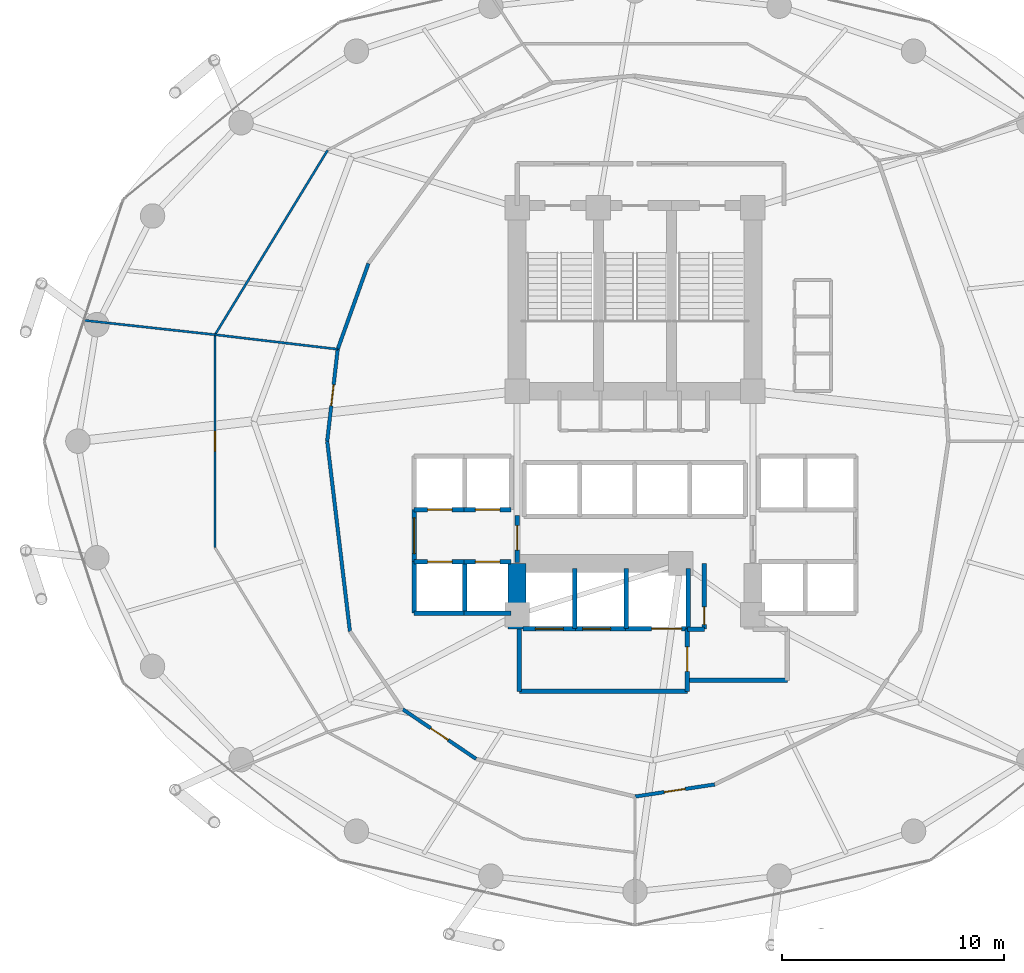
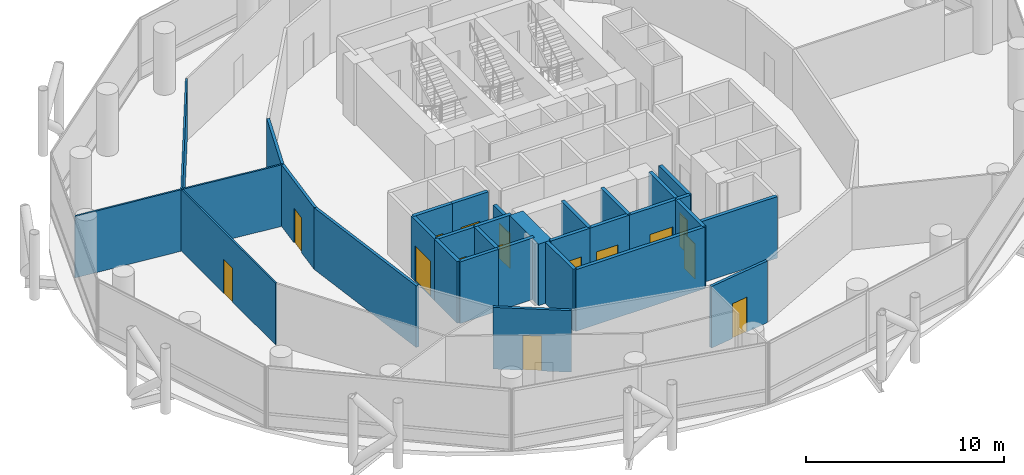
# One storey, part 21 of 25: 32 walls, 15 doors, 15 openings.
"""IFC4 building model written with IfcOpenShell, lengths in metres."""

from ifc_helpers import new_model, si_unit, direction, frame, frame_2d, origin, place, context, subcontext, project, spatial, rectangle, extrude, material, layer, layer_set, type_object, element, fill, save


model = new_model("IFC4")

# Units and contexts
model_context = context("Model", 3, precision=1e-05, world=origin(), true_north=direction((0.0, 1.0)))
body_context = subcontext(model_context, "Body", "Model", "MODEL_VIEW")
ifc_project = project(units=[si_unit("LENGTHUNIT", "METRE"), si_unit("AREAUNIT", "SQUARE_METRE"), si_unit("VOLUMEUNIT", "CUBIC_METRE"), si_unit("PLANEANGLEUNIT", "RADIAN"), si_unit("MASSUNIT", "GRAM", prefix="KILO")], contexts=[model_context])

# Site, building, storey
site_placement = place(None, origin())
site = spatial("IfcSite", under=ifc_project, at=site_placement, CompositionType="ELEMENT")
building_placement = place(site_placement, origin())
building = spatial("IfcBuilding", under=site, at=building_placement, Name="Nuhasar Tower", CompositionType="ELEMENT")
storey_placement = place(building_placement, frame((0.0, 0.0, 61.5)))
storey = spatial("IfcBuildingStorey", under=building, at=storey_placement, Name="L14", CompositionType="ELEMENT", Elevation=61.5)

# Walls
ifc_material_1 = material(Name="Concrete C80/95", Category="concrete")
ifc_layer_1 = layer(ifc_material_1, 0.800048828125)
ifc_layer_set_1 = layer_set([ifc_layer_1], Name="Concrete C80/95")
wall_type_1 = type_object("IfcWallType", Name="WL-CORE-800", PredefinedType="SHEAR", material=ifc_layer_set_1)
wall_1_placement = place(storey_placement, frame((33.699951171875, 18.35009765625, 0.0), z_axis=(0.0, 0.0, 1.0), x_axis=(0.0, 1.0, 0.0)))
element("IfcWall", 1, at=wall_1_placement, inside=storey, type_object=wall_type_1, Name="L14 Core Shear Wall CW-SW CW-800", PredefinedType="SHEAR", context=body_context, shape_type="SweptSolid", body=[
    extrude(rectangle(XDim=2.949951171875, YDim=0.800048828125, at=frame_2d((1.47509765625, 0.0))), origin(), (0.0, 0.0, 1.0), 3.800048828125),
])
ifc_material_2 = material(Name="Gypsum Board", Category="gypsum")
ifc_layer_2 = layer(ifc_material_2, 0.159912109375)
ifc_layer_set_2 = layer_set([ifc_layer_2], Name="Gypsum Board")
wall_type_2 = type_object("IfcWallType", Name="WL-CORR-160", PredefinedType="PARTITIONING", material=ifc_layer_set_2)
wall_2_placement = place(storey_placement, frame((27.013916015625, 34.7900390625, 0.0), z_axis=(0.0, 0.0, 1.0), x_axis=(-0.337507156162, -0.941322962399, 0.0)))
element("IfcWall", 2, at=wall_2_placement, inside=storey, type_object=wall_type_2, Name="L14 Interior Partition CORR-20", PredefinedType="PARTITIONING", context=body_context, shape_type="SweptSolid", body=[
    extrude(rectangle(XDim=4.09423828125, YDim=0.159912109375, at=frame_2d((2.047119140625, 0.0))), origin(), (0.0, 0.0, 1.0), 3.800048828125),
])

# Wall, opening, door
wall_3_placement = place(storey_placement, frame((25.159912109375, 26.800048828125, 0.0), z_axis=(0.0, 0.0, 1.0), x_axis=(0.113424191486, 0.993546653553, 0.0)))
wall_3 = element("IfcWall", 3, at=wall_3_placement, inside=storey, type_object=wall_type_2, Name="L14 Interior Partition CORR-22", PredefinedType="PARTITIONING", context=body_context, shape_type="SweptSolid", body=[
    extrude(rectangle(XDim=4.162841796875, YDim=0.159912109375, at=frame_2d((2.08154296875, 0.0))), origin(), (0.0, 0.0, 1.0), 3.800048828125),
])
opening_1_placement = place(wall_3_placement, frame((1.60595703125, 0.0, 0.0)))
opening_1 = element("IfcOpeningElement", 4, at=opening_1_placement, cuts=wall_3, Name="Opening DO-01", PredefinedType="OPENING", context=body_context, shape_type="SweptSolid", body=[
    extrude(rectangle(XDim=0.949951171875, YDim=2.14990234375, at=frame_2d((0.47509765625, 1.074951171875))), frame((0.0, 0.08984375, 0.0), z_axis=(0.0, -1.0, 0.0), x_axis=(1.0, 0.0, 0.0)), (0.0, 0.0, 1.0), 0.179931640625),
])
ifc_material_3 = material(Name="Timber Oak", Category="wood")
door_type_1 = type_object("IfcDoorType", Name="DR-OFFICE-FD30-950", OperationType="NOTDEFINED", PredefinedType="DOOR", material=ifc_material_3)
door_1_placement = place(opening_1_placement, origin())
door_1 = element("IfcDoor", 5, at=door_1_placement, inside=storey, type_object=door_type_1, Name="L14 Risk Committee Meeting Room Entry Door", OperationType="SINGLE_SWING_LEFT", OverallHeight=2.14990234375, OverallWidth=0.949951171875, PredefinedType="DOOR", context=body_context, shape_type="SweptSolid", body=[
    extrude(rectangle(XDim=0.949951171875, YDim=2.14990234375, at=frame_2d((0.47509765625, 1.074951171875))), frame((0.0, 0.02490234375, 0.0), z_axis=(0.0, -1.0, 0.0), x_axis=(1.0, 0.0, 0.0)), (0.0, 0.0, 1.0), 0.050048828125),
])
fill(opening_1, door_1)

# Wall
wall_4_placement = place(storey_placement, frame((25.159912109375, 26.800048828125, 0.0), z_axis=(0.0, 0.0, 1.0), x_axis=(0.11875033489, -0.992924145121, 0.0)))
element("IfcWall", 6, at=wall_4_placement, inside=storey, type_object=wall_type_2, Name="L14 Interior Partition CORR-24", PredefinedType="PARTITIONING", context=body_context, shape_type="SweptSolid", body=[
    extrude(rectangle(XDim=8.60595703125, YDim=0.159912109375, at=frame_2d((4.302978515625, 0.0))), origin(), (0.0, 0.0, 1.0), 3.800048828125),
])

# Wall, opening, door
wall_5_placement = place(storey_placement, frame((31.85595703125, 12.513916015625, 0.0), z_axis=(0.0, 0.0, 1.0), x_axis=(-0.828313553284, 0.560264810108, 0.0)))
wall_5 = element("IfcWall", 7, at=wall_5_placement, inside=storey, type_object=wall_type_2, Name="L14 Interior Partition CORR-30", PredefinedType="PARTITIONING", context=body_context, shape_type="SweptSolid", body=[
    extrude(rectangle(XDim=3.980224609375, YDim=0.159912109375, at=frame_2d((1.990234375, 0.0))), origin(), (0.0, 0.0, 1.0), 3.800048828125),
])
opening_2_placement = place(wall_5_placement, frame((1.514892578125, 0.0, 0.0)))
opening_2 = element("IfcOpeningElement", 8, at=opening_2_placement, cuts=wall_5, Name="Opening DO-01", PredefinedType="OPENING", context=body_context, shape_type="SweptSolid", body=[
    extrude(rectangle(XDim=0.949951171875, YDim=2.14990234375, at=frame_2d((0.47509765625, 1.074951171875))), frame((0.0, 0.08984375, 0.0), z_axis=(0.0, -1.0, 0.0), x_axis=(1.0, 0.0, 0.0)), (0.0, 0.0, 1.0), 0.179931640625),
])
door_2_placement = place(opening_2_placement, origin())
door_2 = element("IfcDoor", 9, at=door_2_placement, inside=storey, type_object=door_type_1, Name="L14 Econometrics Research Office Entry Door", OperationType="SINGLE_SWING_RIGHT", OverallHeight=2.14990234375, OverallWidth=0.949951171875, PredefinedType="DOOR", context=body_context, shape_type="SweptSolid", body=[
    extrude(rectangle(XDim=0.949951171875, YDim=2.14990234375, at=frame_2d((0.47509765625, 1.074951171875))), frame((0.0, 0.02490234375, 0.0), z_axis=(0.0, -1.0, 0.0), x_axis=(1.0, 0.0, 0.0)), (0.0, 0.0, 1.0), 0.050048828125),
])
fill(opening_2, door_2)

wall_6_placement = place(storey_placement, frame((42.58203125, 11.364990234375, 0.0), z_axis=(0.0, 0.0, 1.0), x_axis=(-0.988625807883, -0.150396183424, 0.0)))
wall_6 = element("IfcWall", 10, at=wall_6_placement, inside=storey, type_object=wall_type_2, Name="L14 Interior Partition CORR-36", PredefinedType="PARTITIONING", context=body_context, shape_type="SweptSolid", body=[
    extrude(rectangle(XDim=3.623291015625, YDim=0.159912109375, at=frame_2d((1.8115234375, 0.0))), origin(), (0.0, 0.0, 1.0), 3.800048828125),
])
opening_3_placement = place(wall_6_placement, frame((1.3369140625, 0.0, 0.0)))
opening_3 = element("IfcOpeningElement", 11, at=opening_3_placement, cuts=wall_6, Name="Opening DO-01", PredefinedType="OPENING", context=body_context, shape_type="SweptSolid", body=[
    extrude(rectangle(XDim=0.949951171875, YDim=2.14990234375, at=frame_2d((0.47509765625, 1.074951171875))), frame((0.0, 0.08984375, 0.0), z_axis=(0.0, -1.0, 0.0), x_axis=(1.0, 0.0, 0.0)), (0.0, 0.0, 1.0), 0.179931640625),
])
door_3_placement = place(opening_3_placement, origin())
door_3 = element("IfcDoor", 12, at=door_3_placement, inside=storey, type_object=door_type_1, Name="L14 Trader Bistro Pantry Entry Door", OperationType="SINGLE_SWING_RIGHT", OverallHeight=2.14990234375, OverallWidth=0.949951171875, PredefinedType="DOOR", context=body_context, shape_type="SweptSolid", body=[
    extrude(rectangle(XDim=0.949951171875, YDim=2.14990234375, at=frame_2d((0.47509765625, 1.074951171875))), frame((0.0, 0.02490234375, 0.0), z_axis=(0.0, -1.0, 0.0), x_axis=(1.0, 0.0, 0.0)), (0.0, 0.0, 1.0), 0.050048828125),
])
fill(opening_3, door_3)

ifc_material_4 = material(Name="Concrete C45/55", Category="concrete")
ifc_layer_3 = layer(ifc_material_4, 0.199951171875)
ifc_layer_set_3 = layer_set([ifc_layer_3], Name="Concrete C45/55")
wall_type_3 = type_object("IfcWallType", Name="WL-LOBBY-200", PredefinedType="SOLIDWALL", material=ifc_layer_set_3)
wall_7_placement = place(storey_placement, frame((29.070068359375, 21.3798828125, 0.0), z_axis=(0.0, 0.0, 1.0), x_axis=(0.0, 1.0, 0.0)))
wall_7 = element("IfcWall", 13, at=wall_7_placement, inside=storey, type_object=wall_type_3, Name="L14 Interior Partition LLBL-W", PredefinedType="SOLIDWALL", context=body_context, shape_type="SweptSolid", body=[
    extrude(rectangle(XDim=2.340087890625, YDim=0.199951171875, at=frame_2d((1.169921875, 0.0))), origin(), (0.0, 0.0, 1.0), 3.800048828125),
])
opening_4_placement = place(wall_7_placement, frame((0.3701171875, 0.0, 0.0)))
opening_4 = element("IfcOpeningElement", 14, at=opening_4_placement, cuts=wall_7, Name="Opening DC-01", PredefinedType="OPENING", context=body_context, shape_type="SweptSolid", body=[
    extrude(rectangle(XDim=1.60009765625, YDim=2.199951171875, at=frame_2d((0.800048828125, 1.10009765625))), frame((0.0, 0.10986328125, 0.0), z_axis=(0.0, -1.0, 0.0), x_axis=(1.0, 0.0, 0.0)), (0.0, 0.0, 1.0), 0.219970703125),
])
ifc_material_5 = material(Name="Steel S355", Category="steel")
door_type_2 = type_object("IfcDoorType", Name="DR-CORR-FD60-1600", OperationType="DOUBLE_DOOR_SINGLE_SWING", PredefinedType="DOOR", material=ifc_material_5)
door_4_placement = place(opening_4_placement, origin())
door_4 = element("IfcDoor", 15, at=door_4_placement, inside=storey, type_object=door_type_2, Name="L14 Low-Rise Lift Lobby West Entry", OperationType="DOUBLE_DOOR_SINGLE_SWING", OverallHeight=2.199951171875, OverallWidth=1.60009765625, PredefinedType="DOOR", context=body_context, shape_type="SweptSolid", body=[
    extrude(rectangle(XDim=1.60009765625, YDim=2.199951171875, at=frame_2d((0.800048828125, 1.10009765625))), frame((0.0, 0.02490234375, 0.0), z_axis=(0.0, -1.0, 0.0), x_axis=(1.0, 0.0, 0.0)), (0.0, 0.0, 1.0), 0.050048828125),
])
fill(opening_4, door_4)

wall_8_placement = place(storey_placement, frame((33.699951171875, 21.35009765625, 0.0), z_axis=(0.0, 0.0, 1.0), x_axis=(0.0, 1.0, 0.0)))
wall_8 = element("IfcWall", 16, at=wall_8_placement, inside=storey, type_object=wall_type_3, Name="L14 Interior Partition LLBH-W", PredefinedType="SOLIDWALL", context=body_context, shape_type="SweptSolid", body=[
    extrude(rectangle(XDim=2.099853515625, YDim=0.199951171875, at=frame_2d((1.0498046875, 0.0))), origin(), (0.0, 0.0, 1.0), 3.02001953125),
])
opening_5_placement = place(wall_8_placement, frame((0.550048828125, 0.0, 0.0)))
opening_5 = element("IfcOpeningElement", 17, at=opening_5_placement, cuts=wall_8, Name="Opening DS-02", PredefinedType="OPENING", context=body_context, shape_type="SweptSolid", body=[
    extrude(rectangle(XDim=1.10009765625, YDim=2.14990234375, at=frame_2d((0.550048828125, 1.074951171875))), frame((0.0, 0.10986328125, 0.0), z_axis=(0.0, -1.0, 0.0), x_axis=(1.0, 0.0, 0.0)), (0.0, 0.0, 1.0), 0.219970703125),
])
door_type_3 = type_object("IfcDoorType", Name="DR-FFL-FD120-1100", OperationType="NOTDEFINED", PredefinedType="DOOR", material=ifc_material_5)
door_5_placement = place(opening_5_placement, origin())
door_5 = element("IfcDoor", 18, at=door_5_placement, inside=storey, type_object=door_type_3, Name="L14 High-Rise Lobby West Door", OperationType="SINGLE_SWING_RIGHT", OverallHeight=2.14990234375, OverallWidth=1.10009765625, PredefinedType="DOOR", context=body_context, shape_type="SweptSolid", body=[
    extrude(rectangle(XDim=1.10009765625, YDim=2.14990234375, at=frame_2d((0.550048828125, 1.074951171875))), frame((0.0, 0.02490234375, 0.0), z_axis=(0.0, -1.0, 0.0), x_axis=(1.0, 0.0, 0.0)), (0.0, 0.0, 1.0), 0.050048828125),
])
fill(opening_5, door_5)

# Walls
wall_9_placement = place(storey_placement, frame((33.800048828125, 15.550048828125, 0.0), z_axis=(0.0, 0.0, 1.0), x_axis=(1.0, 0.0, 0.0)))
element("IfcWall", 19, at=wall_9_placement, inside=storey, type_object=wall_type_3, Name="L14 Interior Partition FFL-S", PredefinedType="SOLIDWALL", context=body_context, shape_type="SweptSolid", body=[
    extrude(rectangle(XDim=7.550048828125, YDim=0.199951171875, at=frame_2d((3.77490234375, 0.0))), origin(), (0.0, 0.0, 1.0), 3.800048828125),
])
wall_10_placement = place(storey_placement, frame((33.800048828125, 15.550048828125, 0.0), z_axis=(0.0, 0.0, 1.0), x_axis=(0.0, 1.0, 0.0)))
element("IfcWall", 20, at=wall_10_placement, inside=storey, type_object=wall_type_3, Name="L14 Interior Partition FFL-W", PredefinedType="SOLIDWALL", context=body_context, shape_type="SweptSolid", body=[
    extrude(rectangle(XDim=2.800048828125, YDim=0.199951171875, at=frame_2d((1.39990234375, 0.0))), origin(), (0.0, 0.0, 1.0), 3.800048828125),
])

# Wall, opening, door
wall_11_placement = place(storey_placement, frame((41.35009765625, 15.550048828125, 0.0), z_axis=(0.0, 0.0, 1.0), x_axis=(0.0, 1.0, 0.0)))
wall_11 = element("IfcWall", 21, at=wall_11_placement, inside=storey, type_object=wall_type_3, Name="L14 Interior Partition FFL-E", PredefinedType="SOLIDWALL", context=body_context, shape_type="SweptSolid", body=[
    extrude(rectangle(XDim=2.800048828125, YDim=0.199951171875, at=frame_2d((1.39990234375, 0.0))), origin(), (0.0, 0.0, 1.0), 3.800048828125),
])
opening_6_placement = place(wall_11_placement, frame((0.89990234375, 0.0, 0.0)))
opening_6 = element("IfcOpeningElement", 22, at=opening_6_placement, cuts=wall_11, Name="Opening DS-02", PredefinedType="OPENING", context=body_context, shape_type="SweptSolid", body=[
    extrude(rectangle(XDim=1.10009765625, YDim=2.14990234375, at=frame_2d((0.550048828125, 1.074951171875))), frame((0.0, 0.10986328125, 0.0), z_axis=(0.0, -1.0, 0.0), x_axis=(1.0, 0.0, 0.0)), (0.0, 0.0, 1.0), 0.219970703125),
])
door_6_placement = place(opening_6_placement, origin())
door_6 = element("IfcDoor", 23, at=door_6_placement, inside=storey, type_object=door_type_3, Name="L14 Firefighting Lobby Door", OperationType="SINGLE_SWING_RIGHT", OverallHeight=2.14990234375, OverallWidth=1.10009765625, PredefinedType="DOOR", context=body_context, shape_type="SweptSolid", body=[
    extrude(rectangle(XDim=1.10009765625, YDim=2.14990234375, at=frame_2d((0.550048828125, 1.074951171875))), frame((0.0, 0.02490234375, 0.0), z_axis=(0.0, -1.0, 0.0), x_axis=(1.0, 0.0, 0.0)), (0.0, 0.0, 1.0), 0.050048828125),
])
fill(opening_6, door_6)

# Walls
wall_12_placement = place(storey_placement, frame((41.35009765625, 16.050048828125, 0.0), z_axis=(0.0, 0.0, 1.0), x_axis=(1.0, 0.0, 0.0)))
element("IfcWall", 24, at=wall_12_placement, inside=storey, type_object=wall_type_3, Name="L14 Interior Partition SVLV-S", PredefinedType="SOLIDWALL", context=body_context, shape_type="SweptSolid", body=[
    extrude(rectangle(XDim=4.5, YDim=0.199951171875, at=frame_2d((2.25, 0.0))), origin(), (0.0, 0.0, 1.0), 3.800048828125),
])
ifc_material_6 = material(Name="Aluminium 6063-T6", Category="aluminium")
ifc_layer_4 = layer(ifc_material_6, 0.10009765625)
ifc_layer_set_4 = layer_set([ifc_layer_4], Name="Aluminium 6063-T6")
wall_type_4 = type_object("IfcWallType", Name="WL-MOVABLE-100", PredefinedType="MOVABLE", material=ifc_layer_set_4)
wall_13_placement = place(storey_placement, frame((25.176025390625, 39.8798828125, 0.0), z_axis=(0.0, 0.0, 1.0), x_axis=(-0.520904998728, -0.853614656798, 0.0)))
element("IfcWall", 25, at=wall_13_placement, inside=storey, type_object=wall_type_4, Name="L14 Interior Partition OMID-03-18", PredefinedType="MOVABLE", context=body_context, shape_type="SweptSolid", body=[
    extrude(rectangle(XDim=9.7138671875, YDim=0.10009765625, at=frame_2d((4.85693359375, 0.0))), origin(), (0.0, 0.0, 1.0), 3.800048828125),
])
wall_14_placement = place(storey_placement, frame((25.632080078125, 30.93603515625, 0.0), z_axis=(0.0, 0.0, 1.0), x_axis=(-0.993089865622, 0.117356375197, 0.0)))
element("IfcWall", 26, at=wall_14_placement, inside=storey, type_object=wall_type_4, Name="L14 Interior Partition ORAD-22-S1", PredefinedType="MOVABLE", context=body_context, shape_type="SweptSolid", body=[
    extrude(rectangle(XDim=5.554443359375, YDim=0.10009765625, at=frame_2d((2.77734375, 0.0))), origin(), (0.0, 0.0, 1.0), 3.800048828125),
])
wall_15_placement = place(storey_placement, frame((20.115966796875, 31.587890625, 0.0), z_axis=(0.0, 0.0, 1.0), x_axis=(-0.994040689629, 0.109009666368, 0.0)))
element("IfcWall", 27, at=wall_15_placement, inside=storey, type_object=wall_type_4, Name="L14 Interior Partition ORAD-22-S2", PredefinedType="MOVABLE", context=body_context, shape_type="SweptSolid", body=[
    extrude(rectangle(XDim=5.899169921875, YDim=0.10009765625, at=frame_2d((2.94970703125, 0.0))), origin(), (0.0, 0.0, 1.0), 3.800048828125),
])

# Wall, opening, door
wall_16_placement = place(storey_placement, frame((20.115966796875, 22.011962890625, 0.0), z_axis=(0.0, 0.0, 1.0), x_axis=(0.0, 1.0, 0.0)))
wall_16 = element("IfcWall", 28, at=wall_16_placement, inside=storey, type_object=wall_type_4, Name="L14 Interior Partition OMID-04-22", PredefinedType="MOVABLE", context=body_context, shape_type="SweptSolid", body=[
    extrude(rectangle(XDim=9.575927734375, YDim=0.10009765625, at=frame_2d((4.7880859375, 0.0))), origin(), (0.0, 0.0, 1.0), 3.800048828125),
])
opening_7_placement = place(wall_16_placement, frame((4.337890625, 0.0, 0.0)))
opening_7 = element("IfcOpeningElement", 29, at=opening_7_placement, cuts=wall_16, Name="Opening DR-01", PredefinedType="OPENING", context=body_context, shape_type="SweptSolid", body=[
    extrude(rectangle(XDim=0.89990234375, YDim=2.10009765625, at=frame_2d((0.449951171875, 1.050048828125))), frame((0.0, 0.06005859375, 0.0), z_axis=(0.0, -1.0, 0.0), x_axis=(1.0, 0.0, 0.0)), (0.0, 0.0, 1.0), 0.1201171875),
])
door_type_4 = type_object("IfcDoorType", Name="DR-ROOM-900", OperationType="NOTDEFINED", PredefinedType="DOOR", material=ifc_material_3)
door_7_placement = place(opening_7_placement, origin())
door_7 = element("IfcDoor", 30, at=door_7_placement, inside=storey, type_object=door_type_4, Name="L14 Risk Committee Meeting Room Inner Door", OperationType="SINGLE_SWING_LEFT", OverallHeight=2.10009765625, OverallWidth=0.89990234375, PredefinedType="DOOR", context=body_context, shape_type="SweptSolid", body=[
    extrude(rectangle(XDim=0.89990234375, YDim=2.10009765625, at=frame_2d((0.449951171875, 1.050048828125))), frame((0.0, 0.02490234375, 0.0), z_axis=(0.0, -1.0, 0.0), x_axis=(1.0, 0.0, 0.0)), (0.0, 0.0, 1.0), 0.050048828125),
])
fill(opening_7, door_7)

ifc_layer_5 = layer(ifc_material_4, 0.199951171875)
ifc_layer_set_5 = layer_set([ifc_layer_5], Name="Concrete C45/55")
wall_type_5 = type_object("IfcWallType", Name="WL-SHAFT-200", PredefinedType="SOLIDWALL", material=ifc_layer_set_5)
wall_17_placement = place(storey_placement, frame((29.070068359375, 23.719970703125, 0.0), z_axis=(0.0, 0.0, 1.0), x_axis=(1.0, 0.0, 0.0)))
wall_17 = element("IfcWall", 31, at=wall_17_placement, inside=storey, type_object=wall_type_5, Name="L14 Interior Partition SHF-PL-L01-S", PredefinedType="SOLIDWALL", context=body_context, shape_type="SweptSolid", body=[
    extrude(rectangle(XDim=2.309814453125, YDim=0.199951171875, at=frame_2d((1.15478515625, 0.0))), origin(), (0.0, 0.0, 1.0), 3.800048828125),
])
opening_8_placement = place(wall_17_placement, frame((0.60498046875, 0.0, 0.0)))
opening_8 = element("IfcOpeningElement", 32, at=opening_8_placement, cuts=wall_17, Name="Opening LD-L01", PredefinedType="OPENING", context=body_context, shape_type="SweptSolid", body=[
    extrude(rectangle(XDim=1.10009765625, YDim=2.14990234375, at=frame_2d((0.550048828125, 1.074951171875))), frame((0.0, 0.10986328125, 0.0), z_axis=(0.0, -1.0, 0.0), x_axis=(1.0, 0.0, 0.0)), (0.0, 0.0, 1.0), 0.219970703125),
])
ifc_material_7 = material(Name="Stainless Steel 316L", Category="steel")
door_type_5 = type_object("IfcDoorType", Name="LD-PAX-1100", OperationType="DOUBLE_DOOR_SLIDING", PredefinedType="DOOR", material=ifc_material_7)
door_8_placement = place(opening_8_placement, origin())
door_8 = element("IfcDoor", 33, at=door_8_placement, inside=storey, type_object=door_type_5, Name="L14 Lift Landing Door PL-L01", OperationType="DOUBLE_DOOR_SLIDING", OverallHeight=2.14990234375, OverallWidth=1.10009765625, PredefinedType="DOOR", context=body_context, shape_type="SweptSolid", body=[
    extrude(rectangle(XDim=1.10009765625, YDim=2.14990234375, at=frame_2d((0.550048828125, 1.074951171875))), frame((0.0, 0.02490234375, 0.0), z_axis=(0.0, -1.0, 0.0), x_axis=(1.0, 0.0, 0.0)), (0.0, 0.0, 1.0), 0.050048828125),
])
fill(opening_8, door_8)

wall_18_placement = place(storey_placement, frame((31.320068359375, 23.719970703125, 0.0), z_axis=(0.0, 0.0, 1.0), x_axis=(1.0, 0.0, 0.0)))
wall_18 = element("IfcWall", 34, at=wall_18_placement, inside=storey, type_object=wall_type_5, Name="L14 Interior Partition SHF-PL-L02-S", PredefinedType="SOLIDWALL", context=body_context, shape_type="SweptSolid", body=[
    extrude(rectangle(XDim=2.10986328125, YDim=0.199951171875, at=frame_2d((1.054931640625, 0.0))), origin(), (0.0, 0.0, 1.0), 3.800048828125),
])
opening_9_placement = place(wall_18_placement, frame((0.5048828125, 0.0, 0.0)))
opening_9 = element("IfcOpeningElement", 35, at=opening_9_placement, cuts=wall_18, Name="Opening LD-L02", PredefinedType="OPENING", context=body_context, shape_type="SweptSolid", body=[
    extrude(rectangle(XDim=1.10009765625, YDim=2.14990234375, at=frame_2d((0.550048828125, 1.074951171875))), frame((0.0, 0.10986328125, 0.0), z_axis=(0.0, -1.0, 0.0), x_axis=(1.0, 0.0, 0.0)), (0.0, 0.0, 1.0), 0.219970703125),
])
door_9_placement = place(opening_9_placement, origin())
door_9 = element("IfcDoor", 36, at=door_9_placement, inside=storey, type_object=door_type_5, Name="L14 Lift Landing Door PL-L02", OperationType="DOUBLE_DOOR_SLIDING", OverallHeight=2.14990234375, OverallWidth=1.10009765625, PredefinedType="DOOR", context=body_context, shape_type="SweptSolid", body=[
    extrude(rectangle(XDim=1.10009765625, YDim=2.14990234375, at=frame_2d((0.550048828125, 1.074951171875))), frame((0.0, 0.02490234375, 0.0), z_axis=(0.0, -1.0, 0.0), x_axis=(1.0, 0.0, 0.0)), (0.0, 0.0, 1.0), 0.050048828125),
])
fill(opening_9, door_9)

# Wall
wall_19_placement = place(storey_placement, frame((29.070068359375, 19.070068359375, 0.0), z_axis=(0.0, 0.0, 1.0), x_axis=(1.0, 0.0, 0.0)))
element("IfcWall", 37, at=wall_19_placement, inside=storey, type_object=wall_type_5, Name="L14 Interior Partition SHF-PL-L03-S", PredefinedType="SOLIDWALL", context=body_context, shape_type="SweptSolid", body=[
    extrude(rectangle(XDim=2.309814453125, YDim=0.199951171875, at=frame_2d((1.15478515625, 0.0))), origin(), (0.0, 0.0, 1.0), 3.800048828125),
])

# Wall, opening, door
wall_20_placement = place(storey_placement, frame((29.070068359375, 21.3798828125, 0.0), z_axis=(0.0, 0.0, 1.0), x_axis=(1.0, 0.0, 0.0)))
wall_20 = element("IfcWall", 38, at=wall_20_placement, inside=storey, type_object=wall_type_5, Name="L14 Interior Partition SHF-PL-L03-N", PredefinedType="SOLIDWALL", context=body_context, shape_type="SweptSolid", body=[
    extrude(rectangle(XDim=2.309814453125, YDim=0.199951171875, at=frame_2d((1.15478515625, 0.0))), origin(), (0.0, 0.0, 1.0), 3.800048828125),
])
opening_10_placement = place(wall_20_placement, frame((0.60498046875, 0.0, 0.0)))
opening_10 = element("IfcOpeningElement", 39, at=opening_10_placement, cuts=wall_20, Name="Opening LD-L03", PredefinedType="OPENING", context=body_context, shape_type="SweptSolid", body=[
    extrude(rectangle(XDim=1.10009765625, YDim=2.14990234375, at=frame_2d((0.550048828125, 1.074951171875))), frame((0.0, 0.10986328125, 0.0), z_axis=(0.0, -1.0, 0.0), x_axis=(1.0, 0.0, 0.0)), (0.0, 0.0, 1.0), 0.219970703125),
])
door_10_placement = place(opening_10_placement, origin())
door_10 = element("IfcDoor", 40, at=door_10_placement, inside=storey, type_object=door_type_5, Name="L14 Lift Landing Door PL-L03", OperationType="DOUBLE_DOOR_SLIDING", OverallHeight=2.14990234375, OverallWidth=1.10009765625, PredefinedType="DOOR", context=body_context, shape_type="SweptSolid", body=[
    extrude(rectangle(XDim=1.10009765625, YDim=2.14990234375, at=frame_2d((0.550048828125, 1.074951171875))), frame((0.0, 0.02490234375, 0.0), z_axis=(0.0, -1.0, 0.0), x_axis=(1.0, 0.0, 0.0)), (0.0, 0.0, 1.0), 0.050048828125),
])
fill(opening_10, door_10)

# Walls
for number, where, z_axis, x_axis, name in (
    (41, (29.070068359375, 19.070068359375, 0.0), (0.0, 0.0, 1.0), (0.0, 1.0, 0.0), "L14 Interior Partition SHF-PL-L03-W"),
    (42, (31.35009765625, 19.070068359375, 0.0), (0.0, 0.0, 1.0), (0.0, 1.0, 0.0), "L14 Interior Partition SHF-PL-L03-E"),
):
    element("IfcWall", number, at=place(storey_placement, frame(where, z_axis=z_axis, x_axis=x_axis)), inside=storey, type_object=wall_type_5, Name=name, PredefinedType="SOLIDWALL", context=body_context, shape_type="SweptSolid", body=[
        extrude(rectangle(XDim=2.309814453125, YDim=0.199951171875, at=frame_2d((1.15478515625, 0.0))), origin(), (0.0, 0.0, 1.0), 3.800048828125),
    ])
wall_21_placement = place(storey_placement, frame((31.320068359375, 19.070068359375, 0.0), z_axis=(0.0, 0.0, 1.0), x_axis=(1.0, 0.0, 0.0)))
element("IfcWall", 43, at=wall_21_placement, inside=storey, type_object=wall_type_5, Name="L14 Interior Partition SHF-PL-L04-S", PredefinedType="SOLIDWALL", context=body_context, shape_type="SweptSolid", body=[
    extrude(rectangle(XDim=2.10986328125, YDim=0.199951171875, at=frame_2d((1.054931640625, 0.0))), origin(), (0.0, 0.0, 1.0), 3.800048828125),
])

# Wall, opening, door
wall_22_placement = place(storey_placement, frame((31.320068359375, 21.3798828125, 0.0), z_axis=(0.0, 0.0, 1.0), x_axis=(1.0, 0.0, 0.0)))
wall_22 = element("IfcWall", 44, at=wall_22_placement, inside=storey, type_object=wall_type_5, Name="L14 Interior Partition SHF-PL-L04-N", PredefinedType="SOLIDWALL", context=body_context, shape_type="SweptSolid", body=[
    extrude(rectangle(XDim=2.10986328125, YDim=0.199951171875, at=frame_2d((1.054931640625, 0.0))), origin(), (0.0, 0.0, 1.0), 3.800048828125),
])
opening_11_placement = place(wall_22_placement, frame((0.5048828125, 0.0, 0.0)))
opening_11 = element("IfcOpeningElement", 45, at=opening_11_placement, cuts=wall_22, Name="Opening LD-L04", PredefinedType="OPENING", context=body_context, shape_type="SweptSolid", body=[
    extrude(rectangle(XDim=1.10009765625, YDim=2.14990234375, at=frame_2d((0.550048828125, 1.074951171875))), frame((0.0, 0.10986328125, 0.0), z_axis=(0.0, -1.0, 0.0), x_axis=(1.0, 0.0, 0.0)), (0.0, 0.0, 1.0), 0.219970703125),
])
door_11_placement = place(opening_11_placement, origin())
door_11 = element("IfcDoor", 46, at=door_11_placement, inside=storey, type_object=door_type_5, Name="L14 Lift Landing Door PL-L04", OperationType="DOUBLE_DOOR_SLIDING", OverallHeight=2.14990234375, OverallWidth=1.10009765625, PredefinedType="DOOR", context=body_context, shape_type="SweptSolid", body=[
    extrude(rectangle(XDim=1.10009765625, YDim=2.14990234375, at=frame_2d((0.550048828125, 1.074951171875))), frame((0.0, 0.02490234375, 0.0), z_axis=(0.0, -1.0, 0.0), x_axis=(1.0, 0.0, 0.0)), (0.0, 0.0, 1.0), 0.050048828125),
])
fill(opening_11, door_11)

wall_23_placement = place(storey_placement, frame((33.969970703125, 18.3701171875, 0.0), z_axis=(0.0, 0.0, 1.0), x_axis=(1.0, 0.0, 0.0)))
wall_23 = element("IfcWall", 47, at=wall_23_placement, inside=storey, type_object=wall_type_5, Name="L14 Interior Partition SHF-FFL-01-S", PredefinedType="SOLIDWALL", context=body_context, shape_type="SweptSolid", body=[
    extrude(rectangle(XDim=2.360107421875, YDim=0.199951171875, at=frame_2d((1.18017578125, 0.0))), origin(), (0.0, 0.0, 1.0), 3.800048828125),
])
opening_12_placement = place(wall_23_placement, frame((0.554931640625, 0.0, 0.0)))
opening_12 = element("IfcOpeningElement", 48, at=opening_12_placement, cuts=wall_23, Name="Opening LD-F01", PredefinedType="OPENING", context=body_context, shape_type="SweptSolid", body=[
    extrude(rectangle(XDim=1.25, YDim=2.199951171875, at=frame_2d((0.625, 1.10009765625))), frame((0.0, 0.10986328125, 0.0), z_axis=(0.0, -1.0, 0.0), x_axis=(1.0, 0.0, 0.0)), (0.0, 0.0, 1.0), 0.219970703125),
])
door_type_6 = type_object("IfcDoorType", Name="LD-FFL-1250", OperationType="DOUBLE_DOOR_SLIDING", PredefinedType="DOOR", material=ifc_material_7)
door_12_placement = place(opening_12_placement, origin())
door_12 = element("IfcDoor", 49, at=door_12_placement, inside=storey, type_object=door_type_6, Name="L14 Lift Landing Door FFL-01", OperationType="DOUBLE_DOOR_SLIDING", OverallHeight=2.199951171875, OverallWidth=1.25, PredefinedType="DOOR", context=body_context, shape_type="SweptSolid", body=[
    extrude(rectangle(XDim=1.25, YDim=2.199951171875, at=frame_2d((0.625, 1.10009765625))), frame((0.0, 0.02490234375, 0.0), z_axis=(0.0, -1.0, 0.0), x_axis=(1.0, 0.0, 0.0)), (0.0, 0.0, 1.0), 0.050048828125),
])
fill(opening_12, door_12)

# Wall
wall_24_placement = place(storey_placement, frame((36.300048828125, 18.3701171875, 0.0), z_axis=(0.0, 0.0, 1.0), x_axis=(0.0, 1.0, 0.0)))
element("IfcWall", 50, at=wall_24_placement, inside=storey, type_object=wall_type_5, Name="L14 Interior Partition SHF-FFL-01-E", PredefinedType="SOLIDWALL", context=body_context, shape_type="SweptSolid", body=[
    extrude(rectangle(XDim=2.7099609375, YDim=0.199951171875, at=frame_2d((1.35498046875, 0.0))), origin(), (0.0, 0.0, 1.0), 3.800048828125),
])

# Wall, opening, door
wall_25_placement = place(storey_placement, frame((36.27001953125, 18.3701171875, 0.0), z_axis=(0.0, 0.0, 1.0), x_axis=(1.0, 0.0, 0.0)))
wall_25 = element("IfcWall", 51, at=wall_25_placement, inside=storey, type_object=wall_type_5, Name="L14 Interior Partition SHF-FFL-02-S", PredefinedType="SOLIDWALL", context=body_context, shape_type="SweptSolid", body=[
    extrude(rectangle(XDim=2.35986328125, YDim=0.199951171875, at=frame_2d((1.179931640625, 0.0))), origin(), (0.0, 0.0, 1.0), 3.800048828125),
])
opening_13_placement = place(wall_25_placement, frame((0.3798828125, 0.0, 0.0)))
opening_13 = element("IfcOpeningElement", 52, at=opening_13_placement, cuts=wall_25, Name="Opening LD-F02", PredefinedType="OPENING", context=body_context, shape_type="SweptSolid", body=[
    extrude(rectangle(XDim=1.25, YDim=2.199951171875, at=frame_2d((0.625, 1.10009765625))), frame((0.0, 0.10986328125, 0.0), z_axis=(0.0, -1.0, 0.0), x_axis=(1.0, 0.0, 0.0)), (0.0, 0.0, 1.0), 0.219970703125),
])
door_13_placement = place(opening_13_placement, origin())
door_13 = element("IfcDoor", 53, at=door_13_placement, inside=storey, type_object=door_type_6, Name="L14 Lift Landing Door FFL-02", OperationType="DOUBLE_DOOR_SLIDING", OverallHeight=2.199951171875, OverallWidth=1.25, PredefinedType="DOOR", context=body_context, shape_type="SweptSolid", body=[
    extrude(rectangle(XDim=1.25, YDim=2.199951171875, at=frame_2d((0.625, 1.10009765625))), frame((0.0, 0.02490234375, 0.0), z_axis=(0.0, -1.0, 0.0), x_axis=(1.0, 0.0, 0.0)), (0.0, 0.0, 1.0), 0.050048828125),
])
fill(opening_13, door_13)

# Wall
wall_26_placement = place(storey_placement, frame((38.60009765625, 18.3701171875, 0.0), z_axis=(0.0, 0.0, 1.0), x_axis=(0.0, 1.0, 0.0)))
element("IfcWall", 54, at=wall_26_placement, inside=storey, type_object=wall_type_5, Name="L14 Interior Partition SHF-FFL-02-E", PredefinedType="SOLIDWALL", context=body_context, shape_type="SweptSolid", body=[
    extrude(rectangle(XDim=2.7099609375, YDim=0.199951171875, at=frame_2d((1.35498046875, 0.0))), origin(), (0.0, 0.0, 1.0), 3.800048828125),
])

# Wall, opening, door
wall_27_placement = place(storey_placement, frame((38.570068359375, 18.3701171875, 0.0), z_axis=(0.0, 0.0, 1.0), x_axis=(1.0, 0.0, 0.0)))
wall_27 = element("IfcWall", 55, at=wall_27_placement, inside=storey, type_object=wall_type_5, Name="L14 Interior Partition SHF-SVL-01-S", PredefinedType="SOLIDWALL", context=body_context, shape_type="SweptSolid", body=[
    extrude(rectangle(XDim=2.829833984375, YDim=0.199951171875, at=frame_2d((1.4150390625, 0.0))), origin(), (0.0, 0.0, 1.0), 3.800048828125),
])
opening_14_placement = place(wall_27_placement, frame((1.179931640625, 0.0, 0.0)))
opening_14 = element("IfcOpeningElement", 56, at=opening_14_placement, cuts=wall_27, Name="Opening LD-S01", PredefinedType="OPENING", context=body_context, shape_type="SweptSolid", body=[
    extrude(rectangle(XDim=1.35009765625, YDim=2.179931640625, at=frame_2d((0.675048828125, 1.08984375))), frame((0.0, 0.10986328125, 0.0), z_axis=(0.0, -1.0, 0.0), x_axis=(1.0, 0.0, 0.0)), (0.0, 0.0, 1.0), 0.219970703125),
])
door_type_7 = type_object("IfcDoorType", Name="LD-SVL-1350", OperationType="DOUBLE_DOOR_SLIDING", PredefinedType="DOOR", material=ifc_material_7)
door_14_placement = place(opening_14_placement, origin())
door_14 = element("IfcDoor", 57, at=door_14_placement, inside=storey, type_object=door_type_7, Name="L14 Lift Landing Door SVL-01", OperationType="DOUBLE_DOOR_SLIDING", OverallHeight=2.179931640625, OverallWidth=1.35009765625, PredefinedType="DOOR", context=body_context, shape_type="SweptSolid", body=[
    extrude(rectangle(XDim=1.35009765625, YDim=2.179931640625, at=frame_2d((0.675048828125, 1.08984375))), frame((0.0, 0.02490234375, 0.0), z_axis=(0.0, -1.0, 0.0), x_axis=(1.0, 0.0, 0.0)), (0.0, 0.0, 1.0), 0.050048828125),
])
fill(opening_14, door_14)

# Wall
wall_28_placement = place(storey_placement, frame((41.39990234375, 18.3701171875, 0.0), z_axis=(0.0, 0.0, 1.0), x_axis=(0.0, 1.0, 0.0)))
element("IfcWall", 58, at=wall_28_placement, inside=storey, type_object=wall_type_5, Name="L14 Interior Partition SHF-SVL-01-E", PredefinedType="SOLIDWALL", context=body_context, shape_type="SweptSolid", body=[
    extrude(rectangle(XDim=2.7099609375, YDim=0.199951171875, at=frame_2d((1.35498046875, 0.0))), origin(), (0.0, 0.0, 1.0), 3.800048828125),
])

# Wall, opening, door
wall_29_placement = place(storey_placement, frame((42.1201171875, 18.35009765625, 0.0), z_axis=(0.0, 0.0, 1.0), x_axis=(0.0, 1.0, 0.0)))
wall_29 = element("IfcWall", 59, at=wall_29_placement, inside=storey, type_object=wall_type_5, Name="L14 Interior Partition RSR-E", PredefinedType="SOLIDWALL", context=body_context, shape_type="SweptSolid", body=[
    extrude(rectangle(XDim=2.949951171875, YDim=0.199951171875, at=frame_2d((1.47509765625, 0.0))), origin(), (0.0, 0.0, 1.0), 3.800048828125),
])
opening_15_placement = place(wall_29_placement, frame((0.199951171875, 0.0, 0.0)))
opening_15 = element("IfcOpeningElement", 60, at=opening_15_placement, cuts=wall_29, Name="Opening DM-01", PredefinedType="OPENING", context=body_context, shape_type="SweptSolid", body=[
    extrude(rectangle(XDim=0.800048828125, YDim=2.050048828125, at=frame_2d((0.39990234375, 1.02490234375))), frame((0.0, 0.10986328125, 0.0), z_axis=(0.0, -1.0, 0.0), x_axis=(1.0, 0.0, 0.0)), (0.0, 0.0, 1.0), 0.219970703125),
])
door_type_8 = type_object("IfcDoorType", Name="DR-RISER-FD60-800", OperationType="NOTDEFINED", PredefinedType="DOOR", material=ifc_material_5)
door_15_placement = place(opening_15_placement, origin())
door_15 = element("IfcDoor", 61, at=door_15_placement, inside=storey, type_object=door_type_8, Name="L14 MEP Riser Access Door", OperationType="SINGLE_SWING_LEFT", OverallHeight=2.050048828125, OverallWidth=0.800048828125, PredefinedType="DOOR", context=body_context, shape_type="SweptSolid", body=[
    extrude(rectangle(XDim=0.800048828125, YDim=2.050048828125, at=frame_2d((0.39990234375, 1.02490234375))), frame((0.0, 0.02490234375, 0.0), z_axis=(0.0, -1.0, 0.0), x_axis=(1.0, 0.0, 0.0)), (0.0, 0.0, 1.0), 0.050048828125),
])
fill(opening_15, door_15)

# Wall
wall_30_placement = place(storey_placement, frame((41.35009765625, 18.35009765625, 0.0), z_axis=(0.0, 0.0, 1.0), x_axis=(1.0, 0.0, 0.0)))
element("IfcWall", 62, at=wall_30_placement, inside=storey, type_object=wall_type_5, Name="L14 Interior Partition RSR-S", PredefinedType="SOLIDWALL", context=body_context, shape_type="SweptSolid", body=[
    extrude(rectangle(XDim=0.77001953125, YDim=0.199951171875, at=frame_2d((0.385009765625, 0.0))), origin(), (0.0, 0.0, 1.0), 3.800048828125),
])

save(model, "model.ifc")
